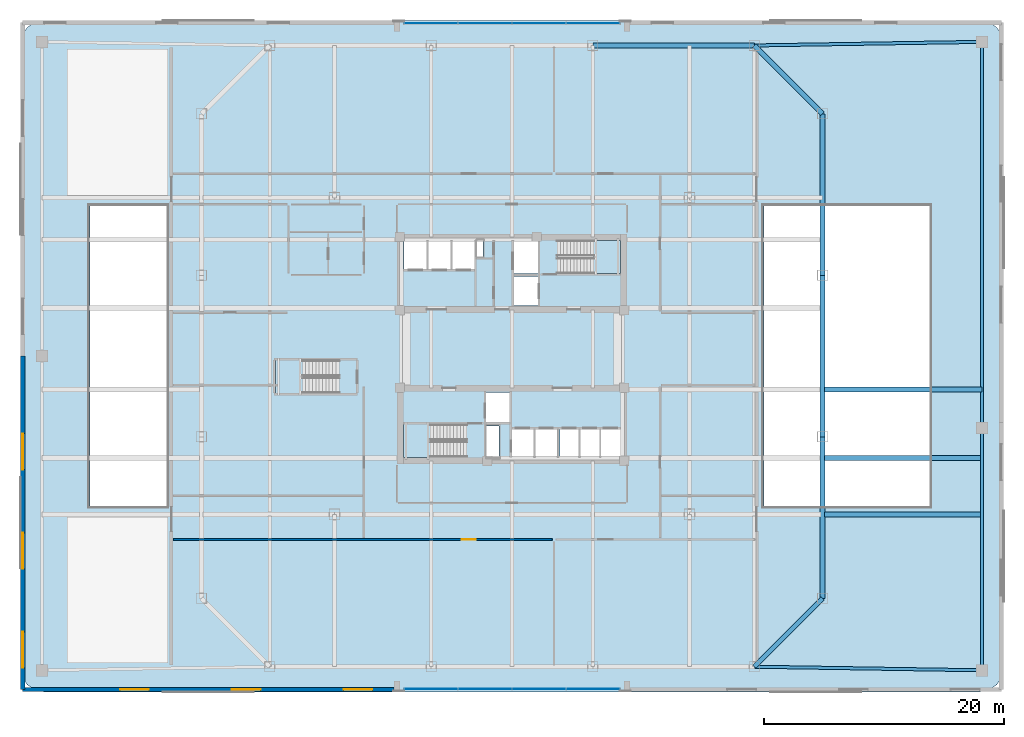
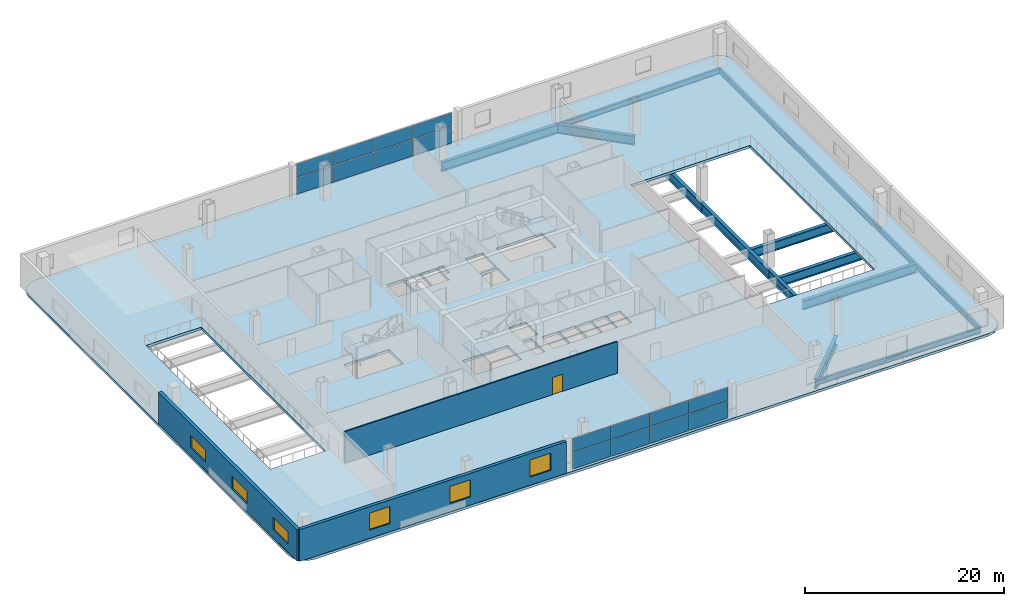
# One storey, part 11 of 21: 16 plates, 13 beams, 6 windows, 4 slabs, 3 walls, 1 door, 7 openings, 5 elements without a shape of their own.
"""IFC4 building model written with IfcOpenShell, lengths in metres."""

import ifcopenshell
import ifcopenshell.guid

model = None  # the IFC model being written
_history = None  # IfcOwnerHistory: only IFC2X3 demands one
_inside = {}  # id of a spatial element -> (the spatial element, [elements in it])
_under = {}  # id of a project, library or spatial element -> (it, [spatial elements below it])
_declared = {}  # id of a project -> (the project, [libraries it declares])
_typed = {}  # id of a type object -> (the type object, [elements of that type])
_made_of = {}  # id of a material, layer set ... -> (it, [elements and type objects made of it])


def new_model(schema):
    """Start an empty IFC model of exactly this schema.

    Asked for "IFC4X3", IfcOpenShell would pick the latest addendum, in which some entities
    have other attributes; the version numbers below select the first issue.
    IFC2X3 requires an IfcOwnerHistory on every rooted entity: one is made here for all.
    """
    global model, _history
    if schema == "IFC4X3":
        model = ifcopenshell.file(schema_version=(4, 3, 0, 0))
    else:
        model = ifcopenshell.file(schema=schema)
    _inside.clear()
    _under.clear()
    _declared.clear()
    _typed.clear()
    _made_of.clear()
    _history = None
    if model.schema == "IFC2X3":
        org = make("IfcOrganization", Name="unknown")
        user = make(
            "IfcPersonAndOrganization",
            ThePerson=make("IfcPerson", FamilyName="unknown"),
            TheOrganization=org,
        )
        app = make(
            "IfcApplication",
            ApplicationDeveloper=org,
            Version="unknown",
            ApplicationFullName="unknown",
            ApplicationIdentifier="unknown",
        )
        _history = make(
            "IfcOwnerHistory",
            OwningUser=user,
            OwningApplication=app,
            ChangeAction="ADDED",
            CreationDate=0,
        )
    return model


def make(cls, **values):
    """One entity of the class cls with the attributes given. An attribute that is None is left unset."""
    return model.create_entity(
        cls, **{name: value for name, value in values.items() if value is not None}
    )


def rooted(cls, **values):
    """An entity with a GlobalId (a new one), such as an element, a storey or a relation."""
    return make(cls, GlobalId=ifcopenshell.guid.new(), OwnerHistory=_history, **values)


def si_unit(unit_type, name, prefix=None):
    """IfcSIUnit, for example si_unit("LENGTHUNIT", "METRE", prefix="MILLI")."""
    return make("IfcSIUnit", UnitType=unit_type, Prefix=prefix, Name=name)


def assignment(units):
    """IfcUnitAssignment: the units of a project."""
    return None if units is None else make("IfcUnitAssignment", Units=units)


def point(xyz):
    """IfcCartesianPoint."""
    return None if xyz is None else make("IfcCartesianPoint", Coordinates=xyz)


def direction(xyz):
    """IfcDirection."""
    return None if xyz is None else make("IfcDirection", DirectionRatios=xyz)


def frame(location, z_axis=None, x_axis=None):
    """IfcAxis2Placement3D, a coordinate frame: its origin and axes. An axis left out is left unset."""
    return make(
        "IfcAxis2Placement3D",
        Location=point(location),
        Axis=direction(z_axis),
        RefDirection=direction(x_axis),
    )


def frame_2d(location, x_axis=None):
    """IfcAxis2Placement2D, a coordinate frame in the plane: its origin and x axis."""
    return make(
        "IfcAxis2Placement2D", Location=point(location), RefDirection=direction(x_axis)
    )


def origin():
    """The frame at (0, 0, 0) with its axes left unset."""
    return frame((0.0, 0.0, 0.0))


def origin_2d():
    """The frame at (0, 0) in the plane with its x axis left unset."""
    return frame_2d((0.0, 0.0))


def place(relative_to, where):
    """IfcLocalPlacement: puts the frame where relative to a parent placement (None: the world)."""
    return make(
        "IfcLocalPlacement", PlacementRelTo=relative_to, RelativePlacement=where
    )


def context(
    kind, dimensions, precision=None, world=None, true_north=None, identifier=None
):
    """IfcGeometricRepresentationContext, for example the 3D "Model" context."""
    return make(
        "IfcGeometricRepresentationContext",
        ContextIdentifier=identifier,
        ContextType=kind,
        CoordinateSpaceDimension=dimensions,
        Precision=precision,
        WorldCoordinateSystem=world,
        TrueNorth=true_north,
    )


def subcontext(parent, identifier, kind, view, scale=None):
    """IfcGeometricRepresentationSubContext, for example "Body" below "Model"."""
    return make(
        "IfcGeometricRepresentationSubContext",
        ContextIdentifier=identifier,
        ContextType=kind,
        ParentContext=parent,
        TargetScale=scale,
        TargetView=view,
    )


def project(units=None, contexts=None):
    """IfcProject with its units and contexts."""
    return rooted(
        "IfcProject",
        Name="project",
        RepresentationContexts=contexts,
        UnitsInContext=assignment(units),
    )


def spatial(cls, under=None, at=None, **own):
    """A site, building, storey or space (cls), placed at a placement, below another one or the project."""
    s = rooted(cls, ObjectPlacement=at, **own)
    if under is not None:
        _under.setdefault(under.id(), (under, []))[1].append(s)
    return s


def polyline(points):
    """IfcPolyline through the points."""
    return make("IfcPolyline", Points=[point(p) for p in points])


def profile(cls, at=None, kind="AREA", **sizes):
    """A parametric profile (cls). Its sizes go by their IFC names, for example OverallWidth=200.0."""
    return make(cls, ProfileType=kind, Position=at, **sizes)


def rectangle(**sizes):
    """IfcRectangleProfileDef."""
    return profile("IfcRectangleProfileDef", **sizes)


def i_section(**sizes):
    """IfcIShapeProfileDef."""
    return profile("IfcIShapeProfileDef", **sizes)


def outline(outer, holes=None, kind="AREA"):
    """IfcArbitraryClosedProfileDef: a profile drawn as a closed curve; with holes, ...WithVoids."""
    if holes is None:
        return make("IfcArbitraryClosedProfileDef", ProfileType=kind, OuterCurve=outer)
    return make(
        "IfcArbitraryProfileDefWithVoids",
        ProfileType=kind,
        OuterCurve=outer,
        InnerCurves=holes,
    )


def extrude(swept, where, along, depth):
    """IfcExtrudedAreaSolid: the profile swept, set in the frame where, extruded along a direction by depth."""
    return make(
        "IfcExtrudedAreaSolid",
        SweptArea=swept,
        Position=where,
        ExtrudedDirection=direction(along),
        Depth=depth,
    )


def shape(context_of_items, identifier, shape_type, items):
    """IfcShapeRepresentation: the items that make up one representation, for example the "Body"."""
    return make(
        "IfcShapeRepresentation",
        ContextOfItems=context_of_items,
        RepresentationIdentifier=identifier,
        RepresentationType=shape_type,
        Items=items,
    )


def material(Name=None, Category=None):
    """IfcMaterial."""
    return make("IfcMaterial", Name=Name, Category=Category)


def layer(
    of_material, thickness, ventilated=None, Name=None, Category=None, Priority=None
):
    """IfcMaterialLayer: one layer of a wall or slab, of a material (None: an air gap)."""
    return make(
        "IfcMaterialLayer",
        Material=of_material,
        LayerThickness=thickness,
        IsVentilated=ventilated,
        Name=Name,
        Category=Category,
        Priority=Priority,
    )


def layer_set(layers, Name=None):
    """IfcMaterialLayerSet."""
    return make("IfcMaterialLayerSet", MaterialLayers=layers, LayerSetName=Name)


def material_profile(
    of_material, cross_section, Name=None, Category=None, Priority=None
):
    """IfcMaterialProfile: a cross section and its material."""
    return make(
        "IfcMaterialProfile",
        Name=Name,
        Material=of_material,
        Profile=cross_section,
        Priority=Priority,
        Category=Category,
    )


def profile_set(profiles, Name=None, composite=None):
    """IfcMaterialProfileSet."""
    return make(
        "IfcMaterialProfileSet",
        Name=Name,
        MaterialProfiles=profiles,
        CompositeProfile=composite,
    )


def made_of(thing, what):
    """Note that an element or type object is made of a material, layer set ...; save() writes the relation."""
    if what is not None:
        _made_of.setdefault(what.id(), (what, []))[1].append(thing)
    return thing


def type_object(cls, material=None, **own):
    """A type object (cls), such as IfcWallType, which elements share."""
    return made_of(rooted(cls, **own), material)


def element(
    cls,
    number,
    at=None,
    inside=None,
    cuts=None,
    type_object=None,
    material=None,
    context=None,
    identifier="Body",
    shape_type=None,
    held_by="IfcProductDefinitionShape",
    body=None,
    shapes=None,
    **own,
):
    """One element of the class cls, such as IfcWall. Its Tag is "e" and its number.

    at: its placement. inside: the storey or other place that contains it. cuts: it is an
    opening in that element (IfcRelVoidsElement). A single representation is given by context,
    identifier, shape_type and body (its items); several are given by shapes. held_by: the class
    of the entity that holds the representations. save() writes the other relations.
    """
    e = rooted(cls, Tag="e%d" % number, ObjectPlacement=at, **own)
    if body is not None:
        shapes = [shape(context, identifier, shape_type, body)]
    if shapes is not None:
        e.Representation = make(held_by, Representations=shapes)
    if inside is not None:
        _inside.setdefault(inside.id(), (inside, []))[1].append(e)
    if cuts is not None:
        rooted(
            "IfcRelVoidsElement", RelatingBuildingElement=cuts, RelatedOpeningElement=e
        )
    if type_object is not None:
        _typed.setdefault(type_object.id(), (type_object, []))[1].append(e)
    return made_of(e, material)


def fill(opening, filler):
    """IfcRelFillsElement: the door or window that sits in an opening."""
    return rooted(
        "IfcRelFillsElement",
        RelatingOpeningElement=opening,
        RelatedBuildingElement=filler,
    )


def aggregate(whole, parts):
    """IfcRelAggregates: a whole, such as a stair, and the parts it consists of."""
    return rooted("IfcRelAggregates", RelatingObject=whole, RelatedObjects=parts)


def save(model, path):
    """Write the relations noted so far, then the file.

    IfcRelAggregates (storeys below a building ...), IfcRelContainedInSpatialStructure (elements
    in a storey), IfcRelDefinesByType, IfcRelAssociatesMaterial and IfcRelDeclares: one each for
    every whole, place, type object, material and project.
    """
    for whole, parts in _under.values():
        aggregate(whole, parts)
    for where, things in _inside.values():
        rooted(
            "IfcRelContainedInSpatialStructure",
            RelatedElements=things,
            RelatingStructure=where,
        )
    for kind, things in _typed.values():
        rooted("IfcRelDefinesByType", RelatedObjects=things, RelatingType=kind)
    for what, things in _made_of.values():
        rooted("IfcRelAssociatesMaterial", RelatedObjects=things, RelatingMaterial=what)
    for by, libraries in _declared.values():
        rooted("IfcRelDeclares", RelatingContext=by, RelatedDefinitions=libraries)
    model.write(path)


model = new_model("IFC4")

# Units and contexts
model_context = context("Model", 3, precision=1e-05, world=origin(), true_north=direction((0.0, 1.0)))
body_context = subcontext(model_context, "Body", "Model", "MODEL_VIEW")
ifc_project = project(units=[si_unit("LENGTHUNIT", "METRE"), si_unit("AREAUNIT", "SQUARE_METRE"), si_unit("VOLUMEUNIT", "CUBIC_METRE"), si_unit("PLANEANGLEUNIT", "RADIAN"), si_unit("MASSUNIT", "GRAM", prefix="KILO")], contexts=[model_context])

# Site, building, storey
site_placement = place(None, origin())
site = spatial("IfcSite", under=ifc_project, at=site_placement, CompositionType="ELEMENT")
building_placement = place(site_placement, origin())
building = spatial("IfcBuilding", under=site, at=building_placement, Name="Qhalaya Broadcast Tower", CompositionType="ELEMENT")
storey_placement = place(building_placement, frame((0.0, 0.0, 9.300048828125)))
storey = spatial("IfcBuildingStorey", under=building, at=storey_placement, Name="L02", CompositionType="ELEMENT", Elevation=9.300048828125)

# Beams
ifc_material_1 = material(Name="Structural Steel ASTM A992 Grade 50", Category="steel")
ifc_material_profile_1 = material_profile(ifc_material_1, i_section(OverallWidth=0.25390625, OverallDepth=0.68310546875, WebThickness=0.012451171875, FlangeThickness=0.01904296875, at=origin_2d()), Name="W27X94")
ifc_profile_set_1 = profile_set([ifc_material_profile_1], Name="Structural Steel ASTM A992 Grade 50")
beam_type_1 = type_object("IfcBeamType", Name="Perimeter Ring Spandrel Beam SP1", PredefinedType="SPANDREL", material=ifc_profile_set_1)
for number, where, z_axis, x_axis, name in (
    (1, (20.199951171875, -25.89990234375, -0.66162109375), (0.999875328998, -0.015790074776, 0.0), (0.015790074776, 0.999875328998, 0.0), "L02 SP1 L02-SP-S2"),
    (2, (20.199951171875, 25.89990234375, -0.66162109375), (0.999875328998, 0.015790074776, 0.0), (-0.015790074776, 0.999875328998, 0.0), "L02 SP1 L02-SP-N2"),
):
    element("IfcBeam", number, at=place(storey_placement, frame(where, z_axis=z_axis, x_axis=x_axis)), inside=storey, type_object=beam_type_1, Name=name, PredefinedType="SPANDREL", context=body_context, shape_type="SweptSolid", body=[
        extrude(i_section(OverallWidth=0.25390625, OverallDepth=0.68310546875, WebThickness=0.012451171875, FlangeThickness=0.01904296875, at=origin_2d()), origin(), (0.0, 0.0, 1.0), 19.00244140625),
    ])
beam_1_placement = place(storey_placement, frame((39.199951171875, -26.199951171875, -0.66162109375), z_axis=(0.0, 1.0, 0.0), x_axis=(-1.0, 0.0, 0.0)))
element("IfcBeam", 3, at=beam_1_placement, inside=storey, type_object=beam_type_1, Name="L02 SP1 L02-SP-E1", PredefinedType="SPANDREL", context=body_context, shape_type="SweptSolid", body=[
    extrude(i_section(OverallWidth=0.25390625, OverallDepth=0.68310546875, WebThickness=0.012451171875, FlangeThickness=0.01904296875, at=origin_2d()), origin(), (0.0, 0.0, 1.0), 20.199951171875),
])
beam_2_placement = place(storey_placement, frame((39.199951171875, -6.0, -0.66162109375), z_axis=(0.0, 1.0, 0.0), x_axis=(-1.0, 0.0, 0.0)))
element("IfcBeam", 4, at=beam_2_placement, inside=storey, type_object=beam_type_1, Name="L02 SP1 L02-SP-E2", PredefinedType="SPANDREL", context=body_context, shape_type="SweptSolid", body=[
    extrude(i_section(OverallWidth=0.25390625, OverallDepth=0.68310546875, WebThickness=0.012451171875, FlangeThickness=0.01904296875, at=origin_2d()), origin(), (0.0, 0.0, 1.0), 32.199951171875),
])
ifc_material_profile_2 = material_profile(ifc_material_1, i_section(OverallWidth=0.404052734375, OverallDepth=1.117919921875, WebThickness=0.026123046875, FlangeThickness=0.044921875, at=origin_2d()), Name="W44X335")
ifc_profile_set_2 = profile_set([ifc_material_profile_2], Name="Structural Steel ASTM A992 Grade 50")
beam_type_2 = type_object("IfcBeamType", Name="Podium Long-Span Primary Girder PG1", PredefinedType="USERDEFINED", material=ifc_profile_set_2)
beam_3_placement = place(storey_placement, frame((20.199951171875, -25.89990234375, -0.879150390625), z_axis=(0.707106781187, 0.707106781187, 0.0), x_axis=(-0.707106781187, 0.707106781187, 0.0)))
element("IfcBeam", 5, at=beam_3_placement, inside=storey, type_object=beam_type_2, Name="L02 PG1 L02-PG-R04", ObjectType="GIRDER", PredefinedType="USERDEFINED", context=body_context, shape_type="SweptSolid", body=[
    extrude(i_section(OverallWidth=0.404052734375, OverallDepth=1.117919921875, WebThickness=0.026123046875, FlangeThickness=0.044921875, at=origin_2d()), origin(), (0.0, 0.0, 1.0), 8.06103515625),
])
beam_4_placement = place(storey_placement, frame((25.89990234375, -20.199951171875, -0.879150390625), z_axis=(0.0, 1.0, 0.0), x_axis=(-1.0, 0.0, 0.0)))
element("IfcBeam", 6, at=beam_4_placement, inside=storey, type_object=beam_type_2, Name="L02 PG1 L02-PG-R05", ObjectType="GIRDER", PredefinedType="USERDEFINED", context=body_context, shape_type="SweptSolid", body=[
    extrude(i_section(OverallWidth=0.404052734375, OverallDepth=1.117919921875, WebThickness=0.026123046875, FlangeThickness=0.044921875, at=origin_2d()), origin(), (0.0, 0.0, 1.0), 13.466552734375),
])
beam_5_placement = place(storey_placement, frame((25.89990234375, -6.7333984375, -0.879150390625), z_axis=(0.0, 1.0, 0.0), x_axis=(-1.0, 0.0, 0.0)))
element("IfcBeam", 7, at=beam_5_placement, inside=storey, type_object=beam_type_2, Name="L02 PG1 L02-PG-R06", ObjectType="GIRDER", PredefinedType="USERDEFINED", context=body_context, shape_type="SweptSolid", body=[
    extrude(i_section(OverallWidth=0.404052734375, OverallDepth=1.117919921875, WebThickness=0.026123046875, FlangeThickness=0.044921875, at=origin_2d()), origin(), (0.0, 0.0, 1.0), 13.466796875),
])
beam_6_placement = place(storey_placement, frame((25.89990234375, 6.7333984375, -0.879150390625), z_axis=(0.0, 1.0, 0.0), x_axis=(-1.0, 0.0, 0.0)))
element("IfcBeam", 8, at=beam_6_placement, inside=storey, type_object=beam_type_2, Name="L02 PG1 L02-PG-R07", ObjectType="GIRDER", PredefinedType="USERDEFINED", context=body_context, shape_type="SweptSolid", body=[
    extrude(i_section(OverallWidth=0.404052734375, OverallDepth=1.117919921875, WebThickness=0.026123046875, FlangeThickness=0.044921875, at=origin_2d()), origin(), (0.0, 0.0, 1.0), 13.466552734375),
])
beam_7_placement = place(storey_placement, frame((25.89990234375, 20.199951171875, -0.879150390625), z_axis=(-0.707106781187, 0.707106781187, 0.0), x_axis=(-0.707106781187, -0.707106781187, 0.0)))
element("IfcBeam", 9, at=beam_7_placement, inside=storey, type_object=beam_type_2, Name="L02 PG1 L02-PG-R08", ObjectType="GIRDER", PredefinedType="USERDEFINED", context=body_context, shape_type="SweptSolid", body=[
    extrude(i_section(OverallWidth=0.404052734375, OverallDepth=1.117919921875, WebThickness=0.026123046875, FlangeThickness=0.044921875, at=origin_2d()), origin(), (0.0, 0.0, 1.0), 8.06103515625),
])
beam_8_placement = place(storey_placement, frame((20.199951171875, 25.89990234375, -0.879150390625), z_axis=(-1.0, 0.0, 0.0), x_axis=(0.0, -1.0, 0.0)))
element("IfcBeam", 10, at=beam_8_placement, inside=storey, type_object=beam_type_2, Name="L02 PG1 L02-PG-R09", ObjectType="GIRDER", PredefinedType="USERDEFINED", context=body_context, shape_type="SweptSolid", body=[
    extrude(i_section(OverallWidth=0.404052734375, OverallDepth=1.117919921875, WebThickness=0.026123046875, FlangeThickness=0.044921875, at=origin_2d()), origin(), (0.0, 0.0, 1.0), 13.466552734375),
])
for number, where, z_axis, x_axis, name in (
    (11, (26.0400390625, -13.199951171875, -0.879150390625), (1.0, 0.0, 0.0), (0.0, 1.0, 0.0), "L02 PG1 L02-PG-GS5"),
    (12, (26.0400390625, -8.5, -0.879150390625), (1.0, 0.0, 0.0), (0.0, 1.0, 0.0), "L02 PG1 L02-PG-E1B"),
    (13, (26.0400390625, -2.800048828125, -0.879150390625), (1.0, 0.0, 0.0), (0.0, 1.0, 0.0), "L02 PG1 L02-PG-E2B"),
):
    element("IfcBeam", number, at=place(storey_placement, frame(where, z_axis=z_axis, x_axis=x_axis)), inside=storey, type_object=beam_type_2, Name=name, ObjectType="GIRDER", PredefinedType="USERDEFINED", context=body_context, shape_type="SweptSolid", body=[
        extrude(i_section(OverallWidth=0.404052734375, OverallDepth=1.117919921875, WebThickness=0.026123046875, FlangeThickness=0.044921875, at=origin_2d()), origin(), (0.0, 0.0, 1.0), 13.159912109375),
    ])

# Slab
ifc_material_2 = material(Name="Concrete C40/50", Category="concrete")
ifc_layer_1 = layer(ifc_material_2, 0.320068359375, Name="Concrete C40/50")
ifc_layer_set_1 = layer_set([ifc_layer_1], Name="Concrete C40/50")
slab_type_1 = type_object("IfcSlabType", Name="Podium Soundstage Box-in-Box Floor Slab 320", PredefinedType="FLOOR", material=ifc_layer_set_1)
slab_1_placement = place(storey_placement, frame((0.0, 0.0, -0.320068359375)))
element("IfcSlab", 14, at=slab_1_placement, inside=storey, type_object=slab_type_1, Name="L02 Main Structural Floor Slab", PredefinedType="FLOOR", context=body_context, shape_type="SweptSolid", body=[
    extrude(outline(polyline([(39.0, -28.0), (39.765380859375, -27.847900390625), (40.414306640625, -27.414306640625), (40.847900390625, -26.765380859375), (41.0, -26.0), (41.0, 26.0), (40.847900390625, 26.765380859375), (40.414306640625, 27.414306640625), (39.765380859375, 27.847900390625), (39.0, 28.0), (-39.0, 28.0), (-39.765380859375, 27.847900390625), (-40.414306640625, 27.414306640625), (-40.847900390625, 26.765380859375), (-41.0, 26.0), (-41.0, -26.0), (-40.847900390625, -26.765380859375), (-40.414306640625, -27.414306640625), (-39.765380859375, -27.847900390625), (-39.0, -28.0), (39.0, -28.0)]), holes=[polyline([(3.784912109375, 9.639892578125), (9.050048828125, 9.639892578125), (9.050048828125, 6.8798828125), (3.784912109375, 6.8798828125), (3.784912109375, 9.639892578125)]), polyline([(-3.784912109375, -8.43994140625), (-9.050048828125, -8.43994140625), (-9.050048828125, -5.679931640625), (-3.784912109375, -5.679931640625), (-3.784912109375, -8.43994140625)]), polyline([(-14.43505859375, -3.10009765625), (-19.699951171875, -3.10009765625), (-19.699951171875, -0.340087890625), (-14.43505859375, -0.340087890625), (-14.43505859375, -3.10009765625)]), polyline([(0.14990234375, 6.64990234375), (2.14990234375, 6.64990234375), (2.14990234375, 4.199951171875), (0.14990234375, 4.199951171875), (0.14990234375, 6.64990234375)]), polyline([(0.14990234375, 9.60009765625), (2.14990234375, 9.60009765625), (2.14990234375, 6.89990234375), (0.14990234375, 6.89990234375), (0.14990234375, 9.60009765625)]), polyline([(-2.14990234375, -3.050048828125), (-0.14990234375, -3.050048828125), (-0.14990234375, -5.5), (-2.14990234375, -5.5), (-2.14990234375, -3.050048828125)]), polyline([(-9.0, 9.60009765625), (-7.1201171875, 9.60009765625), (-7.1201171875, 7.25), (-9.0, 7.25), (-9.0, 9.60009765625)]), polyline([(-7.0, 9.60009765625), (-5.1201171875, 9.60009765625), (-5.1201171875, 7.25), (-7.0, 7.25), (-7.0, 9.60009765625)]), polyline([(-5.0, 9.60009765625), (-3.1201171875, 9.60009765625), (-3.1201171875, 7.25), (-5.0, 7.25), (-5.0, 9.60009765625)]), polyline([(-0.050048828125, -6.10009765625), (1.830078125, -6.10009765625), (1.830078125, -8.39990234375), (-0.050048828125, -8.39990234375), (-0.050048828125, -6.10009765625)]), polyline([(1.949951171875, -6.10009765625), (3.830078125, -6.10009765625), (3.830078125, -8.39990234375), (1.949951171875, -8.39990234375), (1.949951171875, -6.10009765625)]), polyline([(4.0, -6.10009765625), (5.60009765625, -6.10009765625), (5.60009765625, -8.39990234375), (4.0, -8.39990234375), (4.0, -6.10009765625)]), polyline([(5.719970703125, -6.10009765625), (7.320068359375, -6.10009765625), (7.320068359375, -8.39990234375), (5.719970703125, -8.39990234375), (5.719970703125, -6.10009765625)]), polyline([(7.43994140625, -6.10009765625), (9.0400390625, -6.10009765625), (9.0400390625, -8.39990234375), (7.43994140625, -8.39990234375), (7.43994140625, -6.10009765625)]), polyline([(-2.919921875, 9.659912109375), (-2.419921875, 9.659912109375), (-2.419921875, 8.320068359375), (-2.919921875, 8.320068359375), (-2.919921875, 9.659912109375)]), polyline([(-2.1201171875, -5.820068359375), (-1.080078125, -5.820068359375), (-1.080078125, -8.4599609375), (-2.1201171875, -8.4599609375), (-2.1201171875, -5.820068359375)]), polyline([(-35.199951171875, 12.5), (-28.800048828125, 12.5), (-28.800048828125, -12.5), (-35.199951171875, -12.5), (-35.199951171875, 12.5)]), polyline([(21.0, 12.5), (34.800048828125, 12.5), (34.800048828125, -12.5), (21.0, -12.5), (21.0, 12.5)])]), origin(), (0.0, 0.0, 1.0), 0.320068359375),
])

# Curtain wall, plates
ifc_material_3 = material(Name="Solar-Control Low-E Triple Glazing", Category="glass")
ifc_layer_2 = layer(ifc_material_3, 0.219970703125, Name="Solar-Control Low-E Triple Glazing")
ifc_layer_set_2 = layer_set([ifc_layer_2], Name="Solar-Control Low-E Triple Glazing")
curtain_wall_type = type_object("IfcCurtainWallType", Name="Podium Concourse Triple-Height Glazed Portal CW-01", PredefinedType="NOTDEFINED", material=ifc_layer_set_2)
curtain_wall_1_placement = place(storey_placement, origin())
curtain_wall_1 = element("IfcCurtainWall", 15, at=curtain_wall_1_placement, inside=storey, type_object=curtain_wall_type, Name="L02 Unitised Curtain Wall L02-CW01-S", PredefinedType="NOTDEFINED")
ifc_layer_3 = layer(ifc_material_3, 0.0380859375, Name="Solar-Control Low-E Triple Glazing")
ifc_layer_set_3 = layer_set([ifc_layer_3], Name="Solar-Control Low-E Triple Glazing")
plate_type = type_object("IfcPlateType", Name="Solar-Control Curtain Glazing Panel GLP-01", PredefinedType="CURTAIN_PANEL", material=ifc_layer_set_3)
plate_1_placement = place(storey_placement, frame((-6.768798828125, -27.75, 0.074951171875), z_axis=(0.0, 0.0, 1.0), x_axis=(1.0, 0.0, 0.0)))
plate_1 = element("IfcPlate", 16, at=plate_1_placement, type_object=plate_type, Name="CW-01 panel 1.1", PredefinedType="CURTAIN_PANEL", context=body_context, shape_type="SweptSolid", body=[
    extrude(rectangle(XDim=4.41259765625, YDim=0.0380859375, at=origin_2d()), origin(), (0.0, 0.0, 1.0), 2.021484375),
])
plate_2_placement = place(storey_placement, frame((-6.768798828125, -27.75, 2.17138671875), z_axis=(0.0, 0.0, 1.0), x_axis=(1.0, 0.0, 0.0)))
plate_2 = element("IfcPlate", 17, at=plate_2_placement, type_object=plate_type, Name="CW-01 panel 1.2", PredefinedType="CURTAIN_PANEL", context=body_context, shape_type="SweptSolid", body=[
    extrude(rectangle(XDim=4.41259765625, YDim=0.0380859375, at=origin_2d()), origin(), (0.0, 0.0, 1.0), 1.633544921875),
])
plate_3_placement = place(storey_placement, frame((-2.262451171875, -27.75, 0.074951171875), z_axis=(0.0, 0.0, 1.0), x_axis=(1.0, 0.0, 0.0)))
plate_3 = element("IfcPlate", 18, at=plate_3_placement, type_object=plate_type, Name="CW-01 panel 2.1", PredefinedType="CURTAIN_PANEL", context=body_context, shape_type="SweptSolid", body=[
    extrude(rectangle(XDim=4.449951171875, YDim=0.0380859375, at=origin_2d()), origin(), (0.0, 0.0, 1.0), 2.021484375),
])
plate_4_placement = place(storey_placement, frame((-2.262451171875, -27.75, 2.17138671875), z_axis=(0.0, 0.0, 1.0), x_axis=(1.0, 0.0, 0.0)))
plate_4 = element("IfcPlate", 19, at=plate_4_placement, type_object=plate_type, Name="CW-01 panel 2.2", PredefinedType="CURTAIN_PANEL", context=body_context, shape_type="SweptSolid", body=[
    extrude(rectangle(XDim=4.449951171875, YDim=0.0380859375, at=origin_2d()), origin(), (0.0, 0.0, 1.0), 1.633544921875),
])
plate_5_placement = place(storey_placement, frame((2.262451171875, -27.75, 0.074951171875), z_axis=(0.0, 0.0, 1.0), x_axis=(1.0, 0.0, 0.0)))
plate_5 = element("IfcPlate", 20, at=plate_5_placement, type_object=plate_type, Name="CW-01 panel 3.1", PredefinedType="CURTAIN_PANEL", context=body_context, shape_type="SweptSolid", body=[
    extrude(rectangle(XDim=4.449951171875, YDim=0.0380859375, at=origin_2d()), origin(), (0.0, 0.0, 1.0), 2.021484375),
])
plate_6_placement = place(storey_placement, frame((2.262451171875, -27.75, 2.17138671875), z_axis=(0.0, 0.0, 1.0), x_axis=(1.0, 0.0, 0.0)))
plate_6 = element("IfcPlate", 21, at=plate_6_placement, type_object=plate_type, Name="CW-01 panel 3.2", PredefinedType="CURTAIN_PANEL", context=body_context, shape_type="SweptSolid", body=[
    extrude(rectangle(XDim=4.449951171875, YDim=0.0380859375, at=origin_2d()), origin(), (0.0, 0.0, 1.0), 1.633544921875),
])
plate_7_placement = place(storey_placement, frame((6.768798828125, -27.75, 0.074951171875), z_axis=(0.0, 0.0, 1.0), x_axis=(1.0, 0.0, 0.0)))
plate_7 = element("IfcPlate", 22, at=plate_7_placement, type_object=plate_type, Name="CW-01 panel 4.1", PredefinedType="CURTAIN_PANEL", context=body_context, shape_type="SweptSolid", body=[
    extrude(rectangle(XDim=4.41259765625, YDim=0.0380859375, at=origin_2d()), origin(), (0.0, 0.0, 1.0), 2.021484375),
])
plate_8_placement = place(storey_placement, frame((6.768798828125, -27.75, 2.17138671875), z_axis=(0.0, 0.0, 1.0), x_axis=(1.0, 0.0, 0.0)))
plate_8 = element("IfcPlate", 23, at=plate_8_placement, type_object=plate_type, Name="CW-01 panel 4.2", PredefinedType="CURTAIN_PANEL", context=body_context, shape_type="SweptSolid", body=[
    extrude(rectangle(XDim=4.41259765625, YDim=0.0380859375, at=origin_2d()), origin(), (0.0, 0.0, 1.0), 1.633544921875),
])
aggregate(curtain_wall_1, [plate_1, plate_2, plate_3, plate_4, plate_5, plate_6, plate_7, plate_8])

curtain_wall_2_placement = place(storey_placement, origin())
curtain_wall_2 = element("IfcCurtainWall", 24, at=curtain_wall_2_placement, inside=storey, type_object=curtain_wall_type, Name="L02 Unitised Curtain Wall L02-CW01-N", PredefinedType="NOTDEFINED")
plate_9_placement = place(storey_placement, frame((6.768798828125, 27.75, 0.074951171875), z_axis=(0.0, 0.0, 1.0), x_axis=(-1.0, 0.0, 0.0)))
plate_9 = element("IfcPlate", 25, at=plate_9_placement, type_object=plate_type, Name="CW-01 panel 1.1", PredefinedType="CURTAIN_PANEL", context=body_context, shape_type="SweptSolid", body=[
    extrude(rectangle(XDim=4.41259765625, YDim=0.0380859375, at=origin_2d()), origin(), (0.0, 0.0, 1.0), 2.021484375),
])
plate_10_placement = place(storey_placement, frame((6.768798828125, 27.75, 2.17138671875), z_axis=(0.0, 0.0, 1.0), x_axis=(-1.0, 0.0, 0.0)))
plate_10 = element("IfcPlate", 26, at=plate_10_placement, type_object=plate_type, Name="CW-01 panel 1.2", PredefinedType="CURTAIN_PANEL", context=body_context, shape_type="SweptSolid", body=[
    extrude(rectangle(XDim=4.41259765625, YDim=0.0380859375, at=origin_2d()), origin(), (0.0, 0.0, 1.0), 1.633544921875),
])
plate_11_placement = place(storey_placement, frame((2.262451171875, 27.75, 0.074951171875), z_axis=(0.0, 0.0, 1.0), x_axis=(-1.0, 0.0, 0.0)))
plate_11 = element("IfcPlate", 27, at=plate_11_placement, type_object=plate_type, Name="CW-01 panel 2.1", PredefinedType="CURTAIN_PANEL", context=body_context, shape_type="SweptSolid", body=[
    extrude(rectangle(XDim=4.449951171875, YDim=0.0380859375, at=origin_2d()), origin(), (0.0, 0.0, 1.0), 2.021484375),
])
plate_12_placement = place(storey_placement, frame((2.262451171875, 27.75, 2.17138671875), z_axis=(0.0, 0.0, 1.0), x_axis=(-1.0, 0.0, 0.0)))
plate_12 = element("IfcPlate", 28, at=plate_12_placement, type_object=plate_type, Name="CW-01 panel 2.2", PredefinedType="CURTAIN_PANEL", context=body_context, shape_type="SweptSolid", body=[
    extrude(rectangle(XDim=4.449951171875, YDim=0.0380859375, at=origin_2d()), origin(), (0.0, 0.0, 1.0), 1.633544921875),
])
plate_13_placement = place(storey_placement, frame((-2.262451171875, 27.75, 0.074951171875), z_axis=(0.0, 0.0, 1.0), x_axis=(-1.0, 0.0, 0.0)))
plate_13 = element("IfcPlate", 29, at=plate_13_placement, type_object=plate_type, Name="CW-01 panel 3.1", PredefinedType="CURTAIN_PANEL", context=body_context, shape_type="SweptSolid", body=[
    extrude(rectangle(XDim=4.449951171875, YDim=0.0380859375, at=origin_2d()), origin(), (0.0, 0.0, 1.0), 2.021484375),
])
plate_14_placement = place(storey_placement, frame((-2.262451171875, 27.75, 2.17138671875), z_axis=(0.0, 0.0, 1.0), x_axis=(-1.0, 0.0, 0.0)))
plate_14 = element("IfcPlate", 30, at=plate_14_placement, type_object=plate_type, Name="CW-01 panel 3.2", PredefinedType="CURTAIN_PANEL", context=body_context, shape_type="SweptSolid", body=[
    extrude(rectangle(XDim=4.449951171875, YDim=0.0380859375, at=origin_2d()), origin(), (0.0, 0.0, 1.0), 1.633544921875),
])
plate_15_placement = place(storey_placement, frame((-6.768798828125, 27.75, 0.074951171875), z_axis=(0.0, 0.0, 1.0), x_axis=(-1.0, 0.0, 0.0)))
plate_15 = element("IfcPlate", 31, at=plate_15_placement, type_object=plate_type, Name="CW-01 panel 4.1", PredefinedType="CURTAIN_PANEL", context=body_context, shape_type="SweptSolid", body=[
    extrude(rectangle(XDim=4.41259765625, YDim=0.0380859375, at=origin_2d()), origin(), (0.0, 0.0, 1.0), 2.021484375),
])
plate_16_placement = place(storey_placement, frame((-6.768798828125, 27.75, 2.17138671875), z_axis=(0.0, 0.0, 1.0), x_axis=(-1.0, 0.0, 0.0)))
plate_16 = element("IfcPlate", 32, at=plate_16_placement, type_object=plate_type, Name="CW-01 panel 4.2", PredefinedType="CURTAIN_PANEL", context=body_context, shape_type="SweptSolid", body=[
    extrude(rectangle(XDim=4.41259765625, YDim=0.0380859375, at=origin_2d()), origin(), (0.0, 0.0, 1.0), 1.633544921875),
])
aggregate(curtain_wall_2, [plate_9, plate_10, plate_11, plate_12, plate_13, plate_14, plate_15, plate_16])

# Stair, slab
stair_type = type_object("IfcStairType", Name="Protected Dogleg Core Stair 4200", PredefinedType="TWO_STRAIGHT_RUN_STAIR", material=ifc_material_2)
stair_1_placement = place(storey_placement, origin())
stair_1 = element("IfcStair", 33, at=stair_1_placement, inside=storey, type_object=stair_type, Name="L02 North Core Exit Stair ST-1", PredefinedType="TWO_STRAIGHT_RUN_STAIR")
ifc_layer_4 = layer(ifc_material_2, 0.199951171875, Name="Concrete C40/50")
ifc_layer_set_4 = layer_set([ifc_layer_4], Name="Concrete C40/50")
slab_type_2 = type_object("IfcSlabType", Name="Stair & Ramp Half-Landing Slab 200", PredefinedType="LANDING", material=ifc_layer_set_4)
slab_2_placement = place(storey_placement, frame((0.0, 0.0, 1.89990234375)))
slab_2 = element("IfcSlab", 34, at=slab_2_placement, type_object=slab_type_2, Name="ST-1 landing 1", PredefinedType="LANDING", context=body_context, shape_type="SweptSolid", body=[
    extrude(outline(polyline([(6.794921875, 6.8798828125), (9.050048828125, 6.8798828125), (9.050048828125, 9.639892578125), (6.794921875, 9.639892578125), (6.794921875, 6.8798828125)])), origin(), (0.0, 0.0, 1.0), 0.199951171875),
])
aggregate(stair_1, [slab_2])

stair_2_placement = place(storey_placement, origin())
stair_2 = element("IfcStair", 35, at=stair_2_placement, inside=storey, type_object=stair_type, Name="L02 South Core Exit Stair ST-2", PredefinedType="TWO_STRAIGHT_RUN_STAIR")
slab_3_placement = place(storey_placement, frame((0.0, 0.0, 1.89990234375)))
slab_3 = element("IfcSlab", 36, at=slab_3_placement, type_object=slab_type_2, Name="ST-2 landing 1", PredefinedType="LANDING", context=body_context, shape_type="SweptSolid", body=[
    extrude(outline(polyline([(-6.794921875, -5.679931640625), (-9.050048828125, -5.679931640625), (-9.050048828125, -8.43994140625), (-6.794921875, -8.43994140625), (-6.794921875, -5.679931640625)])), origin(), (0.0, 0.0, 1.0), 0.199951171875),
])
aggregate(stair_2, [slab_3])

stair_3_placement = place(storey_placement, origin())
stair_3 = element("IfcStair", 37, at=stair_3_placement, inside=storey, type_object=stair_type, Name="L02 Podium West Escape Stair ST-P1", PredefinedType="TWO_STRAIGHT_RUN_STAIR")
slab_4_placement = place(storey_placement, frame((0.0, 0.0, 1.89990234375)))
slab_4 = element("IfcSlab", 38, at=slab_4_placement, type_object=slab_type_2, Name="ST-P1 landing 1", PredefinedType="LANDING", context=body_context, shape_type="SweptSolid", body=[
    extrude(outline(polyline([(-17.445068359375, -0.340087890625), (-19.699951171875, -0.340087890625), (-19.699951171875, -3.10009765625), (-17.445068359375, -3.10009765625), (-17.445068359375, -0.340087890625)])), origin(), (0.0, 0.0, 1.0), 0.199951171875),
])
aggregate(stair_3, [slab_4])

# Wall, opening, door
ifc_material_4 = material(Name="Gypsum Acoustic Partition")
ifc_layer_5 = layer(ifc_material_4, 0.14990234375, Name="Gypsum Acoustic Partition")
ifc_layer_set_5 = layer_set([ifc_layer_5], Name="Gypsum Acoustic Partition")
wall_type_1 = type_object("IfcWallType", Name="Corridor & Tenancy Acoustic Partition 150", PredefinedType="PARTITIONING", material=ifc_layer_set_5)
wall_1_placement = place(storey_placement, frame((-28.239990234375, -15.300048828125, 0.0), z_axis=(0.0, 0.0, 1.0), x_axis=(1.0, 0.0, 0.0)))
wall_1 = element("IfcWall", 39, at=wall_1_placement, inside=storey, type_object=wall_type_1, Name="L02 Partition Wall W-STS1L", PredefinedType="PARTITIONING", context=body_context, shape_type="SweptSolid", body=[
    extrude(rectangle(XDim=31.580078125, YDim=0.14990234375, at=frame_2d((15.7900390625, 0.0))), origin(), (0.0, 0.0, 1.0), 3.8798828125),
])
opening_1_placement = place(wall_1_placement, frame((24.031982421875, 0.0, 0.0)))
opening_1 = element("IfcOpeningElement", 40, at=opening_1_placement, cuts=wall_1, Name="Opening D11", PredefinedType="OPENING", context=body_context, shape_type="SweptSolid", body=[
    extrude(rectangle(XDim=1.199951171875, YDim=2.10009765625, at=frame_2d((0.60009765625, 1.050048828125))), frame((0.0, 0.0869140625, 0.0), z_axis=(0.0, -1.0, 0.0), x_axis=(1.0, 0.0, 0.0)), (0.0, 0.0, 1.0), 0.173828125),
])
ifc_material_5 = material(Name="Anodised Aluminium Glazed Door", Category="aluminium")
door_type = type_object("IfcDoorType", Name="Conference, Boardroom & Studio Control Door D11", OperationType="NOTDEFINED", PredefinedType="DOOR", material=ifc_material_5)
door_placement = place(opening_1_placement, origin())
door = element("IfcDoor", 41, at=door_placement, inside=storey, type_object=door_type, Name="L02 Door D-STS1", OperationType="SINGLE_SWING_RIGHT", OverallHeight=2.10009765625, OverallWidth=1.199951171875, PredefinedType="DOOR", context=body_context, shape_type="SweptSolid", body=[
    extrude(rectangle(XDim=1.199951171875, YDim=2.10009765625, at=frame_2d((0.60009765625, 1.050048828125))), frame((0.0, 0.02490234375, 0.0), z_axis=(0.0, -1.0, 0.0), x_axis=(1.0, 0.0, 0.0)), (0.0, 0.0, 1.0), 0.050048828125),
])
fill(opening_1, door)

# Wall, openings, windows
ifc_material_6 = material(Name="Precast Concrete C40/50", Category="concrete")
ifc_layer_6 = layer(ifc_material_6, 0.360107421875, Name="Precast Concrete C40/50")
ifc_layer_set_6 = layer_set([ifc_layer_6], Name="Precast Concrete C40/50")
wall_type_2 = type_object("IfcWallType", Name="Insulated Precast Terracotta Exterior Wall 360", PredefinedType="SOLIDWALL", material=ifc_layer_set_6)
wall_2_placement = place(storey_placement, frame((-9.840087890625, -27.800048828125, 0.0), z_axis=(0.0, 0.0, 1.0), x_axis=(-1.0, 0.0, 0.0)))
wall_2 = element("IfcWall", 42, at=wall_2_placement, inside=storey, type_object=wall_type_2, Name="L02 Podium Exterior Terracotta Wall EW-SW", PredefinedType="SOLIDWALL", context=body_context, shape_type="SweptSolid", body=[
    extrude(rectangle(XDim=30.9599609375, YDim=0.360107421875, at=frame_2d((15.47998046875, 0.0))), origin(), (0.0, 0.0, 1.0), 3.8798828125),
])
opening_2_placement = place(wall_2_placement, frame((1.800048828125, 0.0, 1.0)))
opening_2 = element("IfcOpeningElement", 43, at=opening_2_placement, cuts=wall_2, Name="Opening W01", PredefinedType="OPENING", context=body_context, shape_type="SweptSolid", body=[
    extrude(rectangle(XDim=2.39990234375, YDim=2.10009765625, at=frame_2d((1.199951171875, 1.050048828125))), frame((0.0, 0.192138671875, 0.0), z_axis=(0.0, -1.0, 0.0), x_axis=(1.0, 0.0, 0.0)), (0.0, 0.0, 1.0), 0.384033203125),
])
opening_3_placement = place(wall_2_placement, frame((11.1201171875, 0.0, 1.0)))
opening_3 = element("IfcOpeningElement", 44, at=opening_3_placement, cuts=wall_2, Name="Opening W01", PredefinedType="OPENING", context=body_context, shape_type="SweptSolid", body=[
    extrude(rectangle(XDim=2.39990234375, YDim=2.10009765625, at=frame_2d((1.199951171875, 1.050048828125))), frame((0.0, 0.192138671875, 0.0), z_axis=(0.0, -1.0, 0.0), x_axis=(1.0, 0.0, 0.0)), (0.0, 0.0, 1.0), 0.384033203125),
])
opening_4_placement = place(wall_2_placement, frame((20.43994140625, 0.0, 1.0)))
opening_4 = element("IfcOpeningElement", 45, at=opening_4_placement, cuts=wall_2, Name="Opening W01", PredefinedType="OPENING", context=body_context, shape_type="SweptSolid", body=[
    extrude(rectangle(XDim=2.39990234375, YDim=2.10009765625, at=frame_2d((1.199951171875, 1.050048828125))), frame((0.0, 0.192138671875, 0.0), z_axis=(0.0, -1.0, 0.0), x_axis=(1.0, 0.0, 0.0)), (0.0, 0.0, 1.0), 0.384033203125),
])
window_type_1 = type_object("IfcWindowType", Name="Podium Broadcast Studio Acoustic Window W01", PartitioningType="SINGLE_PANEL", PredefinedType="WINDOW", material=ifc_material_3)
window_1_placement = place(opening_2_placement, origin())
window_1 = element("IfcWindow", 46, at=window_1_placement, inside=storey, type_object=window_type_1, Name="L02 Facade Window W01-1", OverallHeight=2.10009765625, OverallWidth=2.39990234375, PartitioningType="SINGLE_PANEL", PredefinedType="WINDOW", context=body_context, shape_type="SweptSolid", body=[
    extrude(rectangle(XDim=2.39990234375, YDim=2.10009765625, at=frame_2d((1.199951171875, 1.050048828125))), frame((0.0, 0.030029296875, 0.0), z_axis=(0.0, -1.0, 0.0), x_axis=(1.0, 0.0, 0.0)), (0.0, 0.0, 1.0), 0.06005859375),
])
fill(opening_2, window_1)
window_2_placement = place(opening_3_placement, origin())
window_2 = element("IfcWindow", 47, at=window_2_placement, inside=storey, type_object=window_type_1, Name="L02 Facade Window W01-2", OverallHeight=2.10009765625, OverallWidth=2.39990234375, PartitioningType="SINGLE_PANEL", PredefinedType="WINDOW", context=body_context, shape_type="SweptSolid", body=[
    extrude(rectangle(XDim=2.39990234375, YDim=2.10009765625, at=frame_2d((1.199951171875, 1.050048828125))), frame((0.0, 0.030029296875, 0.0), z_axis=(0.0, -1.0, 0.0), x_axis=(1.0, 0.0, 0.0)), (0.0, 0.0, 1.0), 0.06005859375),
])
fill(opening_3, window_2)
window_3_placement = place(opening_4_placement, origin())
window_3 = element("IfcWindow", 48, at=window_3_placement, inside=storey, type_object=window_type_1, Name="L02 Facade Window W01-3", OverallHeight=2.10009765625, OverallWidth=2.39990234375, PartitioningType="SINGLE_PANEL", PredefinedType="WINDOW", context=body_context, shape_type="SweptSolid", body=[
    extrude(rectangle(XDim=2.39990234375, YDim=2.10009765625, at=frame_2d((1.199951171875, 1.050048828125))), frame((0.0, 0.030029296875, 0.0), z_axis=(0.0, -1.0, 0.0), x_axis=(1.0, 0.0, 0.0)), (0.0, 0.0, 1.0), 0.06005859375),
])
fill(opening_4, window_3)

wall_3_placement = place(storey_placement, frame((-40.800048828125, -27.800048828125, 0.0), z_axis=(0.0, 0.0, 1.0), x_axis=(0.0, 1.0, 0.0)))
wall_3 = element("IfcWall", 49, at=wall_3_placement, inside=storey, type_object=wall_type_2, Name="L02 Podium Exterior Terracotta Wall EW-WS", PredefinedType="SOLIDWALL", context=body_context, shape_type="SweptSolid", body=[
    extrude(rectangle(XDim=27.800048828125, YDim=0.360107421875, at=frame_2d((13.89990234375, 0.0))), origin(), (0.0, 0.0, 1.0), 3.8798828125),
])
opening_5_placement = place(wall_3_placement, frame((1.800048828125, 0.0, 1.0)))
opening_5 = element("IfcOpeningElement", 50, at=opening_5_placement, cuts=wall_3, Name="Opening W03", PredefinedType="OPENING", context=body_context, shape_type="SweptSolid", body=[
    extrude(rectangle(XDim=3.0, YDim=1.5, at=frame_2d((1.5, 0.75))), frame((0.0, 0.192138671875, 0.0), z_axis=(0.0, -1.0, 0.0), x_axis=(1.0, 0.0, 0.0)), (0.0, 0.0, 1.0), 0.384033203125),
])
opening_6_placement = place(wall_3_placement, frame((10.06689453125, 0.0, 1.0)))
opening_6 = element("IfcOpeningElement", 51, at=opening_6_placement, cuts=wall_3, Name="Opening W03", PredefinedType="OPENING", context=body_context, shape_type="SweptSolid", body=[
    extrude(rectangle(XDim=3.0, YDim=1.5, at=frame_2d((1.5, 0.75))), frame((0.0, 0.192138671875, 0.0), z_axis=(0.0, -1.0, 0.0), x_axis=(1.0, 0.0, 0.0)), (0.0, 0.0, 1.0), 0.384033203125),
])
opening_7_placement = place(wall_3_placement, frame((18.3330078125, 0.0, 1.0)))
opening_7 = element("IfcOpeningElement", 52, at=opening_7_placement, cuts=wall_3, Name="Opening W03", PredefinedType="OPENING", context=body_context, shape_type="SweptSolid", body=[
    extrude(rectangle(XDim=3.0, YDim=1.5, at=frame_2d((1.5, 0.75))), frame((0.0, 0.192138671875, 0.0), z_axis=(0.0, -1.0, 0.0), x_axis=(1.0, 0.0, 0.0)), (0.0, 0.0, 1.0), 0.384033203125),
])
window_type_2 = type_object("IfcWindowType", Name="Podium Concourse Clerestory Window W03", PartitioningType="SINGLE_PANEL", PredefinedType="WINDOW", material=ifc_material_3)
window_4_placement = place(opening_5_placement, origin())
window_4 = element("IfcWindow", 53, at=window_4_placement, inside=storey, type_object=window_type_2, Name="L02 Facade Window W03-1", OverallHeight=1.5, OverallWidth=3.0, PartitioningType="SINGLE_PANEL", PredefinedType="WINDOW", context=body_context, shape_type="SweptSolid", body=[
    extrude(rectangle(XDim=3.0, YDim=1.5, at=frame_2d((1.5, 0.75))), frame((0.0, 0.030029296875, 0.0), z_axis=(0.0, -1.0, 0.0), x_axis=(1.0, 0.0, 0.0)), (0.0, 0.0, 1.0), 0.06005859375),
])
fill(opening_5, window_4)
window_5_placement = place(opening_6_placement, origin())
window_5 = element("IfcWindow", 54, at=window_5_placement, inside=storey, type_object=window_type_2, Name="L02 Facade Window W03-2", OverallHeight=1.5, OverallWidth=3.0, PartitioningType="SINGLE_PANEL", PredefinedType="WINDOW", context=body_context, shape_type="SweptSolid", body=[
    extrude(rectangle(XDim=3.0, YDim=1.5, at=frame_2d((1.5, 0.75))), frame((0.0, 0.030029296875, 0.0), z_axis=(0.0, -1.0, 0.0), x_axis=(1.0, 0.0, 0.0)), (0.0, 0.0, 1.0), 0.06005859375),
])
fill(opening_6, window_5)
window_6_placement = place(opening_7_placement, origin())
window_6 = element("IfcWindow", 55, at=window_6_placement, inside=storey, type_object=window_type_2, Name="L02 Facade Window W03-3", OverallHeight=1.5, OverallWidth=3.0, PartitioningType="SINGLE_PANEL", PredefinedType="WINDOW", context=body_context, shape_type="SweptSolid", body=[
    extrude(rectangle(XDim=3.0, YDim=1.5, at=frame_2d((1.5, 0.75))), frame((0.0, 0.030029296875, 0.0), z_axis=(0.0, -1.0, 0.0), x_axis=(1.0, 0.0, 0.0)), (0.0, 0.0, 1.0), 0.06005859375),
])
fill(opening_7, window_6)

save(model, "model.ifc")
